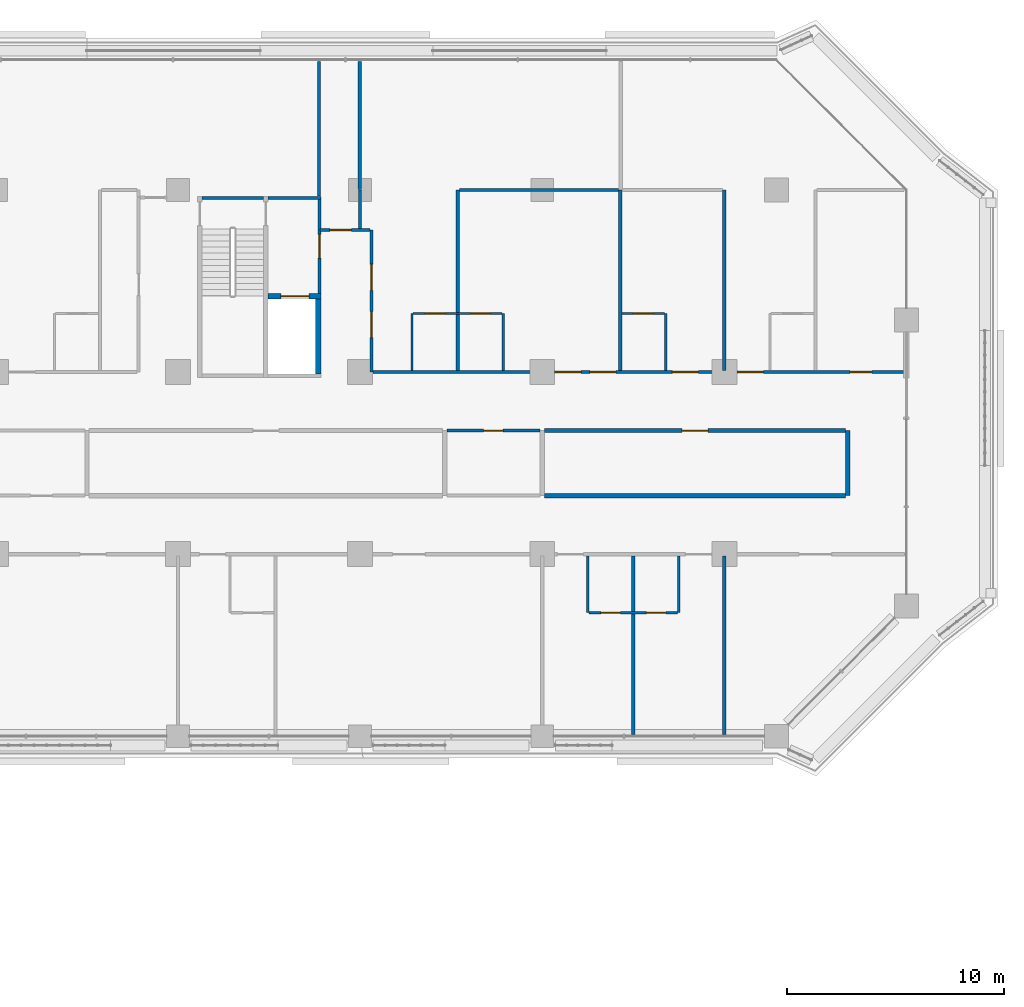
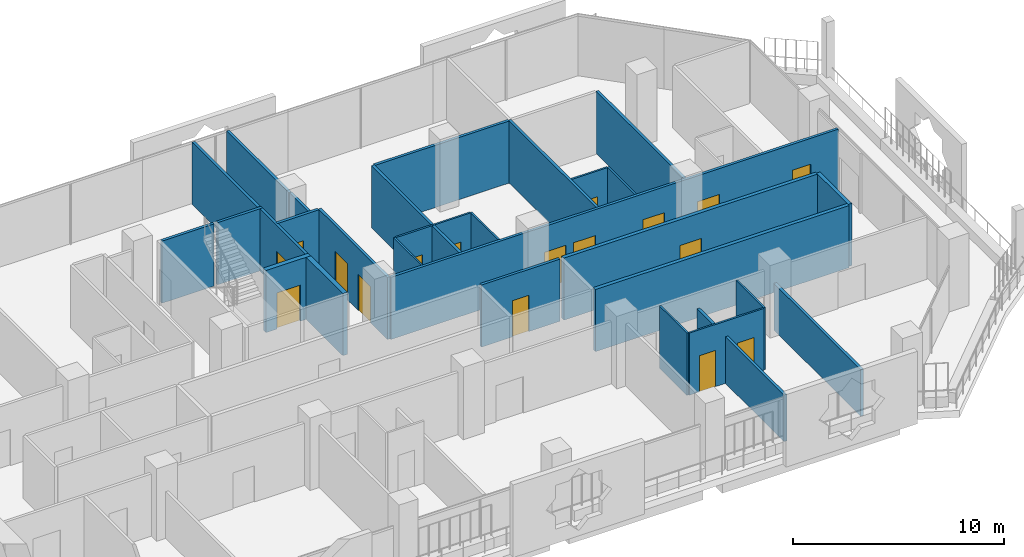
# One storey, part 16 of 25: 29 walls, 17 doors, 17 openings.
"""IFC4 building model written with IfcOpenShell, lengths in metres."""

from ifc_helpers import new_model, si_unit, direction, frame, frame_2d, origin, place, context, subcontext, project, spatial, rectangle, extrude, material, layer, layer_set, type_object, element, fill, save


model = new_model("IFC4")

# Units and contexts
model_context = context("Model", 3, precision=1e-05, world=origin(), true_north=direction((0.0, 1.0)))
body_context = subcontext(model_context, "Body", "Model", "MODEL_VIEW")
ifc_project = project(units=[si_unit("LENGTHUNIT", "METRE"), si_unit("AREAUNIT", "SQUARE_METRE"), si_unit("VOLUMEUNIT", "CUBIC_METRE"), si_unit("PLANEANGLEUNIT", "RADIAN"), si_unit("MASSUNIT", "GRAM", prefix="KILO")], contexts=[model_context])

# Site, building, storey
site_placement = place(None, origin())
site = spatial("IfcSite", under=ifc_project, at=site_placement, CompositionType="ELEMENT")
building_placement = place(site_placement, origin())
building = spatial("IfcBuilding", under=site, at=building_placement, Name="Kawkab Arch Medical Tower", CompositionType="ELEMENT")
storey_placement = place(building_placement, frame((0.0, 0.0, 128.199951171875)))
storey = spatial("IfcBuildingStorey", under=building, at=storey_placement, Name="L29", CompositionType="ELEMENT", Elevation=128.199951171875)

# Wall, opening, door
ifc_material_1 = material(Name="Gypsum board on steel studs", Category="steel")
ifc_layer_1 = layer(ifc_material_1, 0.14990234375)
ifc_layer_set_1 = layer_set([ifc_layer_1], Name="Gypsum board on steel studs")
wall_type_1 = type_object("IfcWallType", Name="Core room partition 150", PredefinedType="PARTITIONING", material=ifc_layer_set_1)
wall_1_placement = place(storey_placement, frame((48.52490234375, -4.77490234375, 0.0), z_axis=(0.0, 0.0, 1.0), x_axis=(0.0, 1.0, 0.0)))
wall_1 = element("IfcWall", 1, at=wall_1_placement, inside=storey, type_object=wall_type_1, Name="L29 core room partition", PredefinedType="PARTITIONING", context=body_context, shape_type="SweptSolid", body=[
    extrude(rectangle(XDim=4.324951171875, YDim=0.14990234375, at=frame_2d((2.16259765625, 0.0))), origin(), (0.0, 0.0, 1.0), 3.60009765625),
])
opening_1_placement = place(wall_1_placement, frame((1.625, 0.0, 0.0)))
opening_1 = element("IfcOpeningElement", 2, at=opening_1_placement, cuts=wall_1, Name="Opening FD", PredefinedType="OPENING", context=body_context, shape_type="SweptSolid", body=[
    extrude(rectangle(XDim=1.10009765625, YDim=2.10009765625, at=frame_2d((0.550048828125, 1.050048828125))), frame((0.0, 0.0849609375, 0.0), z_axis=(0.0, -1.0, 0.0), x_axis=(1.0, 0.0, 0.0)), (0.0, 0.0, 1.0), 0.169921875),
])
ifc_material_2 = material(Name="Hollow metal fire door leaf")
door_type_1 = type_object("IfcDoorType", Name="Firefighting lobby door 1100", OperationType="SINGLE_SWING_LEFT", PredefinedType="DOOR", material=ifc_material_2)
door_1_placement = place(opening_1_placement, origin())
door_1 = element("IfcDoor", 3, at=door_1_placement, inside=storey, type_object=door_type_1, Name="L29 Service lift lobby door SV1", OperationType="SINGLE_SWING_LEFT", OverallHeight=2.10009765625, OverallWidth=1.10009765625, PredefinedType="DOOR", context=body_context, shape_type="SweptSolid", body=[
    extrude(rectangle(XDim=1.10009765625, YDim=2.10009765625, at=frame_2d((0.550048828125, 1.050048828125))), frame((0.0, 0.02490234375, 0.0), z_axis=(0.0, -1.0, 0.0), x_axis=(1.0, 0.0, 0.0)), (0.0, 0.0, 1.0), 0.050048828125),
])
fill(opening_1, door_1)

ifc_material_3 = material(Name="Concrete C60/75", Category="concrete")
ifc_layer_2 = layer(ifc_material_3, 0.25)
ifc_layer_set_2 = layer_set([ifc_layer_2], Name="Concrete C60/75")
wall_type_2 = type_object("IfcWallType", Name="Core shear wall 250 C60/75", PredefinedType="SHEAR", material=ifc_layer_set_2)
wall_2_placement = place(storey_placement, frame((46.14990234375, -4.89990234375, 0.0), z_axis=(0.0, 0.0, 1.0), x_axis=(1.0, 0.0, 0.0)))
wall_2 = element("IfcWall", 4, at=wall_2_placement, inside=storey, type_object=wall_type_2, Name="L29 core shear wall", PredefinedType="SHEAR", context=body_context, shape_type="SweptSolid", body=[
    extrude(rectangle(XDim=2.4501953125, YDim=0.25, at=frame_2d((1.22509765625, 0.0))), origin(), (0.0, 0.0, 1.0), 3.60009765625),
])
opening_2_placement = place(wall_2_placement, frame((0.60009765625, 0.0, 0.0)))
opening_2 = element("IfcOpeningElement", 5, at=opening_2_placement, cuts=wall_2, Name="Opening LD2", PredefinedType="OPENING", context=body_context, shape_type="SweptSolid", body=[
    extrude(rectangle(XDim=1.300048828125, YDim=2.10009765625, at=frame_2d((0.64990234375, 1.050048828125))), frame((0.0, 0.135009765625, 0.0), z_axis=(0.0, -1.0, 0.0), x_axis=(1.0, 0.0, 0.0)), (0.0, 0.0, 1.0), 0.27001953125),
])
ifc_material_4 = material(Name="Stainless steel lift door leaf", Category="steel")
door_type_2 = type_object("IfcDoorType", Name="Lift landing door 1300", OperationType="DOUBLE_DOOR_SLIDING", PredefinedType="DOOR", material=ifc_material_4)
door_2_placement = place(opening_2_placement, origin())
door_2 = element("IfcDoor", 6, at=door_2_placement, inside=storey, type_object=door_type_2, Name="L29 Lift landing door SV1", OperationType="DOUBLE_DOOR_SLIDING", OverallHeight=2.10009765625, OverallWidth=1.300048828125, PredefinedType="DOOR", context=body_context, shape_type="SweptSolid", body=[
    extrude(rectangle(XDim=1.300048828125, YDim=2.10009765625, at=frame_2d((0.64990234375, 1.050048828125))), frame((0.0, 0.02490234375, 0.0), z_axis=(0.0, -1.0, 0.0), x_axis=(1.0, 0.0, 0.0)), (0.0, 0.0, 1.0), 0.050048828125),
])
fill(opening_2, door_2)

# Wall
wall_3_placement = place(storey_placement, frame((48.47509765625, -8.5, 0.0), z_axis=(0.0, 0.0, 1.0), x_axis=(0.0, 1.0, 0.0)))
element("IfcWall", 7, at=wall_3_placement, inside=storey, type_object=wall_type_2, Name="L29 core shear wall", PredefinedType="SHEAR", context=body_context, shape_type="SweptSolid", body=[
    extrude(rectangle(XDim=3.47509765625, YDim=0.25, at=frame_2d((1.737548828125, 0.0))), origin(), (0.0, 0.0, 1.0), 3.60009765625),
])

# Wall, openings, doors
ifc_material_5 = material(Name="Gypsum board partition on steel studs", Category="steel")
ifc_layer_3 = layer(ifc_material_5, 0.10009765625)
ifc_layer_set_3 = layer_set([ifc_layer_3], Name="Gypsum board partition on steel studs")
wall_type_3 = type_object("IfcWallType", Name="Partition 100", PredefinedType="PARTITIONING", material=ifc_layer_set_3)
wall_4_placement = place(storey_placement, frame((60.949951171875, -19.5, 0.0), z_axis=(0.0, 0.0, 1.0), x_axis=(1.0, 0.0, 0.0)))
wall_4 = element("IfcWall", 8, at=wall_4_placement, inside=storey, type_object=wall_type_3, Name="Partition 100 w006", PredefinedType="PARTITIONING", context=body_context, shape_type="SweptSolid", body=[
    extrude(rectangle(XDim=4.10009765625, YDim=0.10009765625, at=frame_2d((2.050048828125, 0.0))), origin(), (0.0, 0.0, 1.0), 3.60009765625),
])
opening_3_placement = place(wall_4_placement, frame((0.550048828125, 0.0, 0.0)))
opening_3 = element("IfcOpeningElement", 9, at=opening_3_placement, cuts=wall_4, Name="Opening W29-016", PredefinedType="OPENING", context=body_context, shape_type="SweptSolid", body=[
    extrude(rectangle(XDim=0.89990234375, YDim=2.10009765625, at=frame_2d((0.449951171875, 1.050048828125))), frame((0.0, 0.06005859375, 0.0), z_axis=(0.0, -1.0, 0.0), x_axis=(1.0, 0.0, 0.0)), (0.0, 0.0, 1.0), 0.1201171875),
])
opening_4_placement = place(wall_4_placement, frame((2.64990234375, 0.0, 0.0)))
opening_4 = element("IfcOpeningElement", 10, at=opening_4_placement, cuts=wall_4, Name="Opening W29-017", PredefinedType="OPENING", context=body_context, shape_type="SweptSolid", body=[
    extrude(rectangle(XDim=0.89990234375, YDim=2.10009765625, at=frame_2d((0.449951171875, 1.050048828125))), frame((0.0, 0.06005859375, 0.0), z_axis=(0.0, -1.0, 0.0), x_axis=(1.0, 0.0, 0.0)), (0.0, 0.0, 1.0), 0.1201171875),
])
ifc_material_6 = material(Name="Timber door leaf", Category="wood")
door_type_3 = type_object("IfcDoorType", Name="Single door 900x2100", OperationType="NOTDEFINED", PredefinedType="DOOR", material=ifc_material_6)
door_3_placement = place(opening_3_placement, origin())
door_3 = element("IfcDoor", 11, at=door_3_placement, inside=storey, type_object=door_type_3, Name="Door W29-016", OperationType="SINGLE_SWING_RIGHT", OverallHeight=2.10009765625, OverallWidth=0.89990234375, PredefinedType="DOOR", context=body_context, shape_type="SweptSolid", body=[
    extrude(rectangle(XDim=0.89990234375, YDim=2.10009765625, at=frame_2d((0.449951171875, 1.050048828125))), frame((0.0, 0.02490234375, 0.0), z_axis=(0.0, -1.0, 0.0), x_axis=(1.0, 0.0, 0.0)), (0.0, 0.0, 1.0), 0.050048828125),
])
fill(opening_3, door_3)
door_4_placement = place(opening_4_placement, origin())
door_4 = element("IfcDoor", 12, at=door_4_placement, inside=storey, type_object=door_type_3, Name="Door W29-017", OperationType="SINGLE_SWING_LEFT", OverallHeight=2.10009765625, OverallWidth=0.89990234375, PredefinedType="DOOR", context=body_context, shape_type="SweptSolid", body=[
    extrude(rectangle(XDim=0.89990234375, YDim=2.10009765625, at=frame_2d((0.449951171875, 1.050048828125))), frame((0.0, 0.02490234375, 0.0), z_axis=(0.0, -1.0, 0.0), x_axis=(1.0, 0.0, 0.0)), (0.0, 0.0, 1.0), 0.050048828125),
])
fill(opening_4, door_4)

wall_5_placement = place(storey_placement, frame((52.85009765625, -5.699951171875, 0.0), z_axis=(0.0, 0.0, 1.0), x_axis=(1.0, 0.0, 0.0)))
wall_5 = element("IfcWall", 13, at=wall_5_placement, inside=storey, type_object=wall_type_3, Name="Partition 100 w008", PredefinedType="PARTITIONING", context=body_context, shape_type="SweptSolid", body=[
    extrude(rectangle(XDim=4.097900390625, YDim=0.10009765625, at=frame_2d((2.048828125, 0.0))), origin(), (0.0, 0.0, 1.0), 3.60009765625),
])
opening_5_placement = place(wall_5_placement, frame((0.550048828125, 0.0, 0.0)))
opening_5 = element("IfcOpeningElement", 14, at=opening_5_placement, cuts=wall_5, Name="Opening W29-010", PredefinedType="OPENING", context=body_context, shape_type="SweptSolid", body=[
    extrude(rectangle(XDim=0.89990234375, YDim=2.10009765625, at=frame_2d((0.449951171875, 1.050048828125))), frame((0.0, 0.06005859375, 0.0), z_axis=(0.0, -1.0, 0.0), x_axis=(1.0, 0.0, 0.0)), (0.0, 0.0, 1.0), 0.1201171875),
])
opening_6_placement = place(wall_5_placement, frame((2.64892578125, 0.0, 0.0)))
opening_6 = element("IfcOpeningElement", 15, at=opening_6_placement, cuts=wall_5, Name="Opening W29-011", PredefinedType="OPENING", context=body_context, shape_type="SweptSolid", body=[
    extrude(rectangle(XDim=0.89990234375, YDim=2.10009765625, at=frame_2d((0.449951171875, 1.050048828125))), frame((0.0, 0.06005859375, 0.0), z_axis=(0.0, -1.0, 0.0), x_axis=(1.0, 0.0, 0.0)), (0.0, 0.0, 1.0), 0.1201171875),
])
door_5_placement = place(opening_5_placement, origin())
door_5 = element("IfcDoor", 16, at=door_5_placement, inside=storey, type_object=door_type_3, Name="Door W29-010", OperationType="SINGLE_SWING_LEFT", OverallHeight=2.10009765625, OverallWidth=0.89990234375, PredefinedType="DOOR", context=body_context, shape_type="SweptSolid", body=[
    extrude(rectangle(XDim=0.89990234375, YDim=2.10009765625, at=frame_2d((0.449951171875, 1.050048828125))), frame((0.0, 0.02490234375, 0.0), z_axis=(0.0, -1.0, 0.0), x_axis=(1.0, 0.0, 0.0)), (0.0, 0.0, 1.0), 0.050048828125),
])
fill(opening_5, door_5)
door_6_placement = place(opening_6_placement, origin())
door_6 = element("IfcDoor", 17, at=door_6_placement, inside=storey, type_object=door_type_3, Name="Door W29-011", OperationType="SINGLE_SWING_RIGHT", OverallHeight=2.10009765625, OverallWidth=0.89990234375, PredefinedType="DOOR", context=body_context, shape_type="SweptSolid", body=[
    extrude(rectangle(XDim=0.89990234375, YDim=2.10009765625, at=frame_2d((0.449951171875, 1.050048828125))), frame((0.0, 0.02490234375, 0.0), z_axis=(0.0, -1.0, 0.0), x_axis=(1.0, 0.0, 0.0)), (0.0, 0.0, 1.0), 0.050048828125),
])
fill(opening_6, door_6)

# Wall, opening, door
wall_6_placement = place(storey_placement, frame((62.47509765625, -5.699951171875, 0.0), z_axis=(0.0, 0.0, 1.0), x_axis=(1.0, 0.0, 0.0)))
wall_6 = element("IfcWall", 18, at=wall_6_placement, inside=storey, type_object=wall_type_3, Name="Partition 100 w009", PredefinedType="PARTITIONING", context=body_context, shape_type="SweptSolid", body=[
    extrude(rectangle(XDim=1.974853515625, YDim=0.10009765625, at=frame_2d((0.9873046875, 0.0))), origin(), (0.0, 0.0, 1.0), 3.60009765625),
])
opening_7_placement = place(wall_6_placement, frame((0.52490234375, 0.0, 0.0)))
opening_7 = element("IfcOpeningElement", 19, at=opening_7_placement, cuts=wall_6, Name="Opening W29-012", PredefinedType="OPENING", context=body_context, shape_type="SweptSolid", body=[
    extrude(rectangle(XDim=0.89990234375, YDim=2.10009765625, at=frame_2d((0.449951171875, 1.050048828125))), frame((0.0, 0.06005859375, 0.0), z_axis=(0.0, -1.0, 0.0), x_axis=(1.0, 0.0, 0.0)), (0.0, 0.0, 1.0), 0.1201171875),
])
door_7_placement = place(opening_7_placement, origin())
door_7 = element("IfcDoor", 20, at=door_7_placement, inside=storey, type_object=door_type_3, Name="Door W29-012", OperationType="SINGLE_SWING_LEFT", OverallHeight=2.10009765625, OverallWidth=0.89990234375, PredefinedType="DOOR", context=body_context, shape_type="SweptSolid", body=[
    extrude(rectangle(XDim=0.89990234375, YDim=2.10009765625, at=frame_2d((0.449951171875, 1.050048828125))), frame((0.0, 0.02490234375, 0.0), z_axis=(0.0, -1.0, 0.0), x_axis=(1.0, 0.0, 0.0)), (0.0, 0.0, 1.0), 0.050048828125),
])
fill(opening_7, door_7)

# Walls
wall_7_placement = place(storey_placement, frame((52.800048828125, -8.324951171875, 0.0), z_axis=(0.0, 0.0, 1.0), x_axis=(0.0, 1.0, 0.0)))
element("IfcWall", 21, at=wall_7_placement, inside=storey, type_object=wall_type_3, Name="Partition 100 w016", PredefinedType="PARTITIONING", context=body_context, shape_type="SweptSolid", body=[
    extrude(rectangle(XDim=2.625, YDim=0.10009765625, at=frame_2d((1.3125, 0.0))), origin(), (0.0, 0.0, 1.0), 3.60009765625),
])
wall_8_placement = place(storey_placement, frame((57.0, -8.324951171875, 0.0), z_axis=(0.0, 0.0, 1.0), x_axis=(0.0, 1.0, 0.0)))
element("IfcWall", 22, at=wall_8_placement, inside=storey, type_object=wall_type_3, Name="Partition 100 w017", PredefinedType="PARTITIONING", context=body_context, shape_type="SweptSolid", body=[
    extrude(rectangle(XDim=2.6240234375, YDim=0.10009765625, at=frame_2d((1.31201171875, 0.0))), origin(), (0.0, 0.0, 1.0), 3.60009765625),
])
for number, where, z_axis, x_axis, name in (
    (23, (60.89990234375, -19.5, 0.0), (0.0, 0.0, 1.0), (0.0, 1.0, 0.0), "Partition 100 w018"),
    (24, (64.5, -8.324951171875, 0.0), (0.0, 0.0, 1.0), (0.0, 1.0, 0.0), "Partition 100 w019"),
    (25, (65.10009765625, -19.5, 0.0), (0.0, 0.0, 1.0), (0.0, 1.0, 0.0), "Partition 100 w020"),
):
    element("IfcWall", number, at=place(storey_placement, frame(where, z_axis=z_axis, x_axis=x_axis)), inside=storey, type_object=wall_type_3, Name=name, PredefinedType="PARTITIONING", context=body_context, shape_type="SweptSolid", body=[
        extrude(rectangle(XDim=2.625, YDim=0.10009765625, at=frame_2d((1.3125, 0.0))), origin(), (0.0, 0.0, 1.0), 3.60009765625),
    ])

# Wall, opening, door
ifc_material_7 = material(Name="Gypsum board partition on steel studs, mineral wool", Category="steel")
ifc_layer_4 = layer(ifc_material_7, 0.14990234375)
ifc_layer_set_4 = layer_set([ifc_layer_4], Name="Gypsum board partition on steel studs, mineral wool")
wall_type_4 = type_object("IfcWallType", Name="Partition 150", PredefinedType="PARTITIONING", material=ifc_layer_set_4)
wall_9_placement = place(storey_placement, frame((54.39990234375, -11.10009765625, 0.0), z_axis=(0.0, 0.0, 1.0), x_axis=(1.0, 0.0, 0.0)))
wall_9 = element("IfcWall", 26, at=wall_9_placement, inside=storey, type_object=wall_type_4, Name="Partition 150 w041", PredefinedType="PARTITIONING", context=body_context, shape_type="SweptSolid", body=[
    extrude(rectangle(XDim=4.300048828125, YDim=0.14990234375, at=frame_2d((2.14990234375, 0.0))), origin(), (0.0, 0.0, 1.0), 3.60009765625),
])
opening_8_placement = place(wall_9_placement, frame((1.699951171875, 0.0, 0.0)))
opening_8 = element("IfcOpeningElement", 27, at=opening_8_placement, cuts=wall_9, Name="Opening W29-014", PredefinedType="OPENING", context=body_context, shape_type="SweptSolid", body=[
    extrude(rectangle(XDim=0.89990234375, YDim=2.10009765625, at=frame_2d((0.449951171875, 1.050048828125))), frame((0.0, 0.0849609375, 0.0), z_axis=(0.0, -1.0, 0.0), x_axis=(1.0, 0.0, 0.0)), (0.0, 0.0, 1.0), 0.169921875),
])
door_8_placement = place(opening_8_placement, origin())
door_8 = element("IfcDoor", 28, at=door_8_placement, inside=storey, type_object=door_type_3, Name="Door W29-014", OperationType="SINGLE_SWING_LEFT", OverallHeight=2.10009765625, OverallWidth=0.89990234375, PredefinedType="DOOR", context=body_context, shape_type="SweptSolid", body=[
    extrude(rectangle(XDim=0.89990234375, YDim=2.10009765625, at=frame_2d((0.449951171875, 1.050048828125))), frame((0.0, 0.02490234375, 0.0), z_axis=(0.0, -1.0, 0.0), x_axis=(1.0, 0.0, 0.0)), (0.0, 0.0, 1.0), 0.050048828125),
])
fill(opening_8, door_8)

# Wall, openings, doors
wall_10_placement = place(storey_placement, frame((51.0, -8.39990234375, 0.0), z_axis=(0.0, 0.0, 1.0), x_axis=(1.0, 0.0, 0.0)))
wall_10 = element("IfcWall", 29, at=wall_10_placement, inside=storey, type_object=wall_type_4, Name="Partition 150 w043", PredefinedType="PARTITIONING", context=body_context, shape_type="SweptSolid", body=[
    extrude(rectangle(XDim=24.52001953125, YDim=0.14990234375, at=frame_2d((12.260009765625, 0.0))), origin(), (0.0, 0.0, 1.0), 3.60009765625),
])
opening_9_placement = place(wall_10_placement, frame((8.39990234375, 0.0, 0.0)))
opening_9 = element("IfcOpeningElement", 30, at=opening_9_placement, cuts=wall_10, Name="Opening W29-036", PredefinedType="OPENING", context=body_context, shape_type="SweptSolid", body=[
    extrude(rectangle(XDim=1.199951171875, YDim=2.10009765625, at=frame_2d((0.60009765625, 1.050048828125))), frame((0.0, 0.0849609375, 0.0), z_axis=(0.0, -1.0, 0.0), x_axis=(1.0, 0.0, 0.0)), (0.0, 0.0, 1.0), 0.169921875),
])
opening_10_placement = place(wall_10_placement, frame((10.0, 0.0, 0.0)))
opening_10 = element("IfcOpeningElement", 31, at=opening_10_placement, cuts=wall_10, Name="Opening W29-037", PredefinedType="OPENING", context=body_context, shape_type="SweptSolid", body=[
    extrude(rectangle(XDim=1.199951171875, YDim=2.10009765625, at=frame_2d((0.60009765625, 1.050048828125))), frame((0.0, 0.0849609375, 0.0), z_axis=(0.0, -1.0, 0.0), x_axis=(1.0, 0.0, 0.0)), (0.0, 0.0, 1.0), 0.169921875),
])
opening_11_placement = place(wall_10_placement, frame((13.800048828125, 0.0, 0.0)))
opening_11 = element("IfcOpeningElement", 32, at=opening_11_placement, cuts=wall_10, Name="Opening W29-038", PredefinedType="OPENING", context=body_context, shape_type="SweptSolid", body=[
    extrude(rectangle(XDim=1.199951171875, YDim=2.10009765625, at=frame_2d((0.60009765625, 1.050048828125))), frame((0.0, 0.0849609375, 0.0), z_axis=(0.0, -1.0, 0.0), x_axis=(1.0, 0.0, 0.0)), (0.0, 0.0, 1.0), 0.169921875),
])
opening_12_placement = place(wall_10_placement, frame((16.800048828125, 0.0, 0.0)))
opening_12 = element("IfcOpeningElement", 33, at=opening_12_placement, cuts=wall_10, Name="Opening W29-039", PredefinedType="OPENING", context=body_context, shape_type="SweptSolid", body=[
    extrude(rectangle(XDim=1.199951171875, YDim=2.10009765625, at=frame_2d((0.60009765625, 1.050048828125))), frame((0.0, 0.0849609375, 0.0), z_axis=(0.0, -1.0, 0.0), x_axis=(1.0, 0.0, 0.0)), (0.0, 0.0, 1.0), 0.169921875),
])
opening_13_placement = place(wall_10_placement, frame((22.0, 0.0, 0.0)))
opening_13 = element("IfcOpeningElement", 34, at=opening_13_placement, cuts=wall_10, Name="Opening W29-028", PredefinedType="OPENING", context=body_context, shape_type="SweptSolid", body=[
    extrude(rectangle(XDim=1.0, YDim=2.10009765625, at=frame_2d((0.5, 1.050048828125))), frame((0.0, 0.0849609375, 0.0), z_axis=(0.0, -1.0, 0.0), x_axis=(1.0, 0.0, 0.0)), (0.0, 0.0, 1.0), 0.169921875),
])
ifc_material_8 = material(Name="Hollow metal door leaf")
door_type_4 = type_object("IfcDoorType", Name="Single door 1000x2100 FD30S", OperationType="NOTDEFINED", PredefinedType="DOOR", material=ifc_material_8)
door_9_placement = place(opening_13_placement, origin())
door_9 = element("IfcDoor", 35, at=door_9_placement, inside=storey, type_object=door_type_4, Name="Door W29-028", OperationType="SINGLE_SWING_RIGHT", OverallHeight=2.10009765625, OverallWidth=1.0, PredefinedType="DOOR", context=body_context, shape_type="SweptSolid", body=[
    extrude(rectangle(XDim=1.0, YDim=2.10009765625, at=frame_2d((0.5, 1.050048828125))), frame((0.0, 0.02490234375, 0.0), z_axis=(0.0, -1.0, 0.0), x_axis=(1.0, 0.0, 0.0)), (0.0, 0.0, 1.0), 0.050048828125),
])
fill(opening_13, door_9)
ifc_material_9 = material(Name="Hollow metal door leaf")
door_type_5 = type_object("IfcDoorType", Name="Single door 1200x2100 FD30S", OperationType="NOTDEFINED", PredefinedType="DOOR", material=ifc_material_9)
door_10_placement = place(opening_9_placement, origin())
door_10 = element("IfcDoor", 36, at=door_10_placement, inside=storey, type_object=door_type_5, Name="Door W29-036", OperationType="SINGLE_SWING_LEFT", OverallHeight=2.10009765625, OverallWidth=1.199951171875, PredefinedType="DOOR", context=body_context, shape_type="SweptSolid", body=[
    extrude(rectangle(XDim=1.199951171875, YDim=2.10009765625, at=frame_2d((0.60009765625, 1.050048828125))), frame((0.0, 0.02490234375, 0.0), z_axis=(0.0, -1.0, 0.0), x_axis=(1.0, 0.0, 0.0)), (0.0, 0.0, 1.0), 0.050048828125),
])
fill(opening_9, door_10)
door_11_placement = place(opening_10_placement, origin())
door_11 = element("IfcDoor", 37, at=door_11_placement, inside=storey, type_object=door_type_5, Name="Door W29-037", OperationType="SINGLE_SWING_LEFT", OverallHeight=2.10009765625, OverallWidth=1.199951171875, PredefinedType="DOOR", context=body_context, shape_type="SweptSolid", body=[
    extrude(rectangle(XDim=1.199951171875, YDim=2.10009765625, at=frame_2d((0.60009765625, 1.050048828125))), frame((0.0, 0.02490234375, 0.0), z_axis=(0.0, -1.0, 0.0), x_axis=(1.0, 0.0, 0.0)), (0.0, 0.0, 1.0), 0.050048828125),
])
fill(opening_10, door_11)
door_12_placement = place(opening_11_placement, origin())
door_12 = element("IfcDoor", 38, at=door_12_placement, inside=storey, type_object=door_type_5, Name="Door W29-038", OperationType="SINGLE_SWING_RIGHT", OverallHeight=2.10009765625, OverallWidth=1.199951171875, PredefinedType="DOOR", context=body_context, shape_type="SweptSolid", body=[
    extrude(rectangle(XDim=1.199951171875, YDim=2.10009765625, at=frame_2d((0.60009765625, 1.050048828125))), frame((0.0, 0.02490234375, 0.0), z_axis=(0.0, -1.0, 0.0), x_axis=(1.0, 0.0, 0.0)), (0.0, 0.0, 1.0), 0.050048828125),
])
fill(opening_11, door_12)
door_13_placement = place(opening_12_placement, origin())
door_13 = element("IfcDoor", 39, at=door_13_placement, inside=storey, type_object=door_type_5, Name="Door W29-039", OperationType="SINGLE_SWING_RIGHT", OverallHeight=2.10009765625, OverallWidth=1.199951171875, PredefinedType="DOOR", context=body_context, shape_type="SweptSolid", body=[
    extrude(rectangle(XDim=1.199951171875, YDim=2.10009765625, at=frame_2d((0.60009765625, 1.050048828125))), frame((0.0, 0.02490234375, 0.0), z_axis=(0.0, -1.0, 0.0), x_axis=(1.0, 0.0, 0.0)), (0.0, 0.0, 1.0), 0.050048828125),
])
fill(opening_12, door_13)

# Wall, opening, door
wall_11_placement = place(storey_placement, frame((48.550048828125, -1.85009765625, 0.0), z_axis=(0.0, 0.0, 1.0), x_axis=(1.0, 0.0, 0.0)))
wall_11 = element("IfcWall", 40, at=wall_11_placement, inside=storey, type_object=wall_type_4, Name="Partition 150 w045", PredefinedType="PARTITIONING", context=body_context, shape_type="SweptSolid", body=[
    extrude(rectangle(XDim=2.296875, YDim=0.14990234375, at=frame_2d((1.1484375, 0.0))), origin(), (0.0, 0.0, 1.0), 3.60009765625),
])
opening_14_placement = place(wall_11_placement, frame((0.449951171875, 0.0, 0.0)))
opening_14 = element("IfcOpeningElement", 41, at=opening_14_placement, cuts=wall_11, Name="Opening W29-027", PredefinedType="OPENING", context=body_context, shape_type="SweptSolid", body=[
    extrude(rectangle(XDim=1.0, YDim=2.10009765625, at=frame_2d((0.5, 1.050048828125))), frame((0.0, 0.0849609375, 0.0), z_axis=(0.0, -1.0, 0.0), x_axis=(1.0, 0.0, 0.0)), (0.0, 0.0, 1.0), 0.169921875),
])
door_14_placement = place(opening_14_placement, origin())
door_14 = element("IfcDoor", 42, at=door_14_placement, inside=storey, type_object=door_type_4, Name="Door W29-027", OperationType="SINGLE_SWING_LEFT", OverallHeight=2.10009765625, OverallWidth=1.0, PredefinedType="DOOR", context=body_context, shape_type="SweptSolid", body=[
    extrude(rectangle(XDim=1.0, YDim=2.10009765625, at=frame_2d((0.5, 1.050048828125))), frame((0.0, 0.02490234375, 0.0), z_axis=(0.0, -1.0, 0.0), x_axis=(1.0, 0.0, 0.0)), (0.0, 0.0, 1.0), 0.050048828125),
])
fill(opening_14, door_14)

# Walls
wall_12_placement = place(storey_placement, frame((54.97900390625, 0.0, 0.0), z_axis=(0.0, 0.0, 1.0), x_axis=(1.0, 0.0, 0.0)))
element("IfcWall", 43, at=wall_12_placement, inside=storey, type_object=wall_type_4, Name="Partition 150 w048", PredefinedType="PARTITIONING", context=body_context, shape_type="SweptSolid", body=[
    extrude(rectangle(XDim=7.345947265625, YDim=0.14990234375, at=frame_2d((3.6728515625, 0.0))), origin(), (0.0, 0.0, 1.0), 3.60009765625),
])
wall_13_placement = place(storey_placement, frame((48.5, -0.27001953125, 0.0), z_axis=(0.0, 0.0, 1.0), x_axis=(0.0, 1.0, 0.0)))
element("IfcWall", 44, at=wall_13_placement, inside=storey, type_object=wall_type_4, Name="Partition 150 w070", PredefinedType="PARTITIONING", context=body_context, shape_type="SweptSolid", body=[
    extrude(rectangle(XDim=6.18994140625, YDim=0.14990234375, at=frame_2d((3.094970703125, 0.0))), origin(), (0.0, 0.0, 1.0), 3.60009765625),
])
wall_14_placement = place(storey_placement, frame((50.3798828125, 0.02001953125, 0.0), z_axis=(0.0, 0.0, 1.0), x_axis=(0.0, 1.0, 0.0)))
element("IfcWall", 45, at=wall_14_placement, inside=storey, type_object=wall_type_4, Name="Partition 150 w071", PredefinedType="PARTITIONING", context=body_context, shape_type="SweptSolid", body=[
    extrude(rectangle(XDim=5.89990234375, YDim=0.14990234375, at=frame_2d((2.949951171875, 0.0))), origin(), (0.0, 0.0, 1.0), 3.60009765625),
])
wall_15_placement = place(storey_placement, frame((50.39990234375, -1.77490234375, 0.0), z_axis=(0.0, 0.0, 1.0), x_axis=(0.0, 1.0, 0.0)))
element("IfcWall", 46, at=wall_15_placement, inside=storey, type_object=wall_type_4, Name="Partition 150 w072", PredefinedType="PARTITIONING", context=body_context, shape_type="SweptSolid", body=[
    extrude(rectangle(XDim=1.77197265625, YDim=0.14990234375, at=frame_2d((0.885986328125, 0.0))), origin(), (0.0, 0.0, 1.0), 3.60009765625),
])

# Wall, openings, doors
wall_16_placement = place(storey_placement, frame((50.925048828125, -8.39990234375, 0.0), z_axis=(0.0, 0.0, 1.0), x_axis=(0.0, 1.0, 0.0)))
wall_16 = element("IfcWall", 47, at=wall_16_placement, inside=storey, type_object=wall_type_4, Name="Partition 150 w073", PredefinedType="PARTITIONING", context=body_context, shape_type="SweptSolid", body=[
    extrude(rectangle(XDim=6.546875, YDim=0.14990234375, at=frame_2d((3.2734375, 0.0))), origin(), (0.0, 0.0, 1.0), 3.60009765625),
])
opening_15_placement = place(wall_16_placement, frame((3.764892578125, 0.0, 0.0)))
opening_15 = element("IfcOpeningElement", 48, at=opening_15_placement, cuts=wall_16, Name="Opening W29-034", PredefinedType="OPENING", context=body_context, shape_type="SweptSolid", body=[
    extrude(rectangle(XDim=1.199951171875, YDim=2.10009765625, at=frame_2d((0.60009765625, 1.050048828125))), frame((0.0, 0.0849609375, 0.0), z_axis=(0.0, -1.0, 0.0), x_axis=(1.0, 0.0, 0.0)), (0.0, 0.0, 1.0), 0.169921875),
])
opening_16_placement = place(wall_16_placement, frame((1.58203125, 0.0, 0.0)))
opening_16 = element("IfcOpeningElement", 49, at=opening_16_placement, cuts=wall_16, Name="Opening W29-035", PredefinedType="OPENING", context=body_context, shape_type="SweptSolid", body=[
    extrude(rectangle(XDim=1.199951171875, YDim=2.10009765625, at=frame_2d((0.60009765625, 1.050048828125))), frame((0.0, 0.0849609375, 0.0), z_axis=(0.0, -1.0, 0.0), x_axis=(1.0, 0.0, 0.0)), (0.0, 0.0, 1.0), 0.169921875),
])
door_15_placement = place(opening_15_placement, origin())
door_15 = element("IfcDoor", 50, at=door_15_placement, inside=storey, type_object=door_type_5, Name="Door W29-034", OperationType="SINGLE_SWING_LEFT", OverallHeight=2.10009765625, OverallWidth=1.199951171875, PredefinedType="DOOR", context=body_context, shape_type="SweptSolid", body=[
    extrude(rectangle(XDim=1.199951171875, YDim=2.10009765625, at=frame_2d((0.60009765625, 1.050048828125))), frame((0.0, 0.02490234375, 0.0), z_axis=(0.0, -1.0, 0.0), x_axis=(1.0, 0.0, 0.0)), (0.0, 0.0, 1.0), 0.050048828125),
])
fill(opening_15, door_15)
door_16_placement = place(opening_16_placement, origin())
door_16 = element("IfcDoor", 51, at=door_16_placement, inside=storey, type_object=door_type_5, Name="Door W29-035", OperationType="SINGLE_SWING_RIGHT", OverallHeight=2.10009765625, OverallWidth=1.199951171875, PredefinedType="DOOR", context=body_context, shape_type="SweptSolid", body=[
    extrude(rectangle(XDim=1.199951171875, YDim=2.10009765625, at=frame_2d((0.60009765625, 1.050048828125))), frame((0.0, 0.02490234375, 0.0), z_axis=(0.0, -1.0, 0.0), x_axis=(1.0, 0.0, 0.0)), (0.0, 0.0, 1.0), 0.050048828125),
])
fill(opening_16, door_16)

# Walls
wall_17_placement = place(storey_placement, frame((54.89990234375, -8.324951171875, 0.0), z_axis=(0.0, 0.0, 1.0), x_axis=(0.0, 1.0, 0.0)))
element("IfcWall", 52, at=wall_17_placement, inside=storey, type_object=wall_type_4, Name="Partition 150 w074", PredefinedType="PARTITIONING", context=body_context, shape_type="SweptSolid", body=[
    extrude(rectangle(XDim=8.322998046875, YDim=0.14990234375, at=frame_2d((4.16162109375, 0.0))), origin(), (0.0, 0.0, 1.0), 3.60009765625),
])
wall_18_placement = place(storey_placement, frame((62.39990234375, -8.324951171875, 0.0), z_axis=(0.0, 0.0, 1.0), x_axis=(0.0, 1.0, 0.0)))
element("IfcWall", 53, at=wall_18_placement, inside=storey, type_object=wall_type_4, Name="Partition 150 w076", PredefinedType="PARTITIONING", context=body_context, shape_type="SweptSolid", body=[
    extrude(rectangle(XDim=8.324951171875, YDim=0.14990234375, at=frame_2d((4.16259765625, 0.0))), origin(), (0.0, 0.0, 1.0), 3.60009765625),
])
for number, where, z_axis, x_axis, name in (
    (54, (63.0, -25.1201171875, 0.0), (0.0, 0.0, 1.0), (0.0, 1.0, 0.0), "Partition 150 w078"),
    (55, (67.199951171875, -25.1201171875, 0.0), (0.0, 0.0, 1.0), (0.0, 1.0, 0.0), "Partition 150 w079"),
):
    element("IfcWall", number, at=place(storey_placement, frame(where, z_axis=z_axis, x_axis=x_axis)), inside=storey, type_object=wall_type_4, Name=name, PredefinedType="PARTITIONING", context=body_context, shape_type="SweptSolid", body=[
        extrude(rectangle(XDim=8.2451171875, YDim=0.14990234375, at=frame_2d((4.12255859375, 0.0))), origin(), (0.0, 0.0, 1.0), 2.699951171875),
    ])
wall_19_placement = place(storey_placement, frame((67.199951171875, -8.324951171875, 0.0), z_axis=(0.0, 0.0, 1.0), x_axis=(0.0, 1.0, 0.0)))
element("IfcWall", 56, at=wall_19_placement, inside=storey, type_object=wall_type_4, Name="Partition 150 w080", PredefinedType="PARTITIONING", context=body_context, shape_type="SweptSolid", body=[
    extrude(rectangle(XDim=8.322998046875, YDim=0.14990234375, at=frame_2d((4.16162109375, 0.0))), origin(), (0.0, 0.0, 1.0), 3.60009765625),
])
ifc_material_10 = material(Name="Fire-rated gypsum board partition on steel studs", Category="steel")
ifc_layer_5 = layer(ifc_material_10, 0.199951171875)
ifc_layer_set_5 = layer_set([ifc_layer_5], Name="Fire-rated gypsum board partition on steel studs")
wall_type_5 = type_object("IfcWallType", Name="Protected partition 200", PredefinedType="PARTITIONING", material=ifc_layer_set_5)
wall_20_placement = place(storey_placement, frame((58.89990234375, -14.10009765625, 0.0), z_axis=(0.0, 0.0, 1.0), x_axis=(1.0, 0.0, 0.0)))
element("IfcWall", 57, at=wall_20_placement, inside=storey, type_object=wall_type_5, Name="Protected partition 200 w085", PredefinedType="PARTITIONING", context=body_context, shape_type="SweptSolid", body=[
    extrude(rectangle(XDim=13.900146484375, YDim=0.199951171875, at=frame_2d((6.9501953125, 0.0))), origin(), (0.0, 0.0, 1.0), 3.60009765625),
])

# Wall, opening, door
wall_21_placement = place(storey_placement, frame((58.89990234375, -11.10009765625, 0.0), z_axis=(0.0, 0.0, 1.0), x_axis=(1.0, 0.0, 0.0)))
wall_21 = element("IfcWall", 58, at=wall_21_placement, inside=storey, type_object=wall_type_5, Name="Protected partition 200 w087", PredefinedType="PARTITIONING", context=body_context, shape_type="SweptSolid", body=[
    extrude(rectangle(XDim=13.900146484375, YDim=0.199951171875, at=frame_2d((6.9501953125, 0.0))), origin(), (0.0, 0.0, 1.0), 3.60009765625),
])
opening_17_placement = place(wall_21_placement, frame((6.35009765625, 0.0, 0.0)))
opening_17 = element("IfcOpeningElement", 59, at=opening_17_placement, cuts=wall_21, Name="Opening W29-049", PredefinedType="OPENING", context=body_context, shape_type="SweptSolid", body=[
    extrude(rectangle(XDim=1.199951171875, YDim=2.10009765625, at=frame_2d((0.60009765625, 1.050048828125))), frame((0.0, 0.10986328125, 0.0), z_axis=(0.0, -1.0, 0.0), x_axis=(1.0, 0.0, 0.0)), (0.0, 0.0, 1.0), 0.219970703125),
])
ifc_material_11 = material(Name="Hollow metal door leaf")
door_type_6 = type_object("IfcDoorType", Name="Single door 1200x2100 FD60", OperationType="NOTDEFINED", PredefinedType="DOOR", material=ifc_material_11)
door_17_placement = place(opening_17_placement, origin())
door_17 = element("IfcDoor", 60, at=door_17_placement, inside=storey, type_object=door_type_6, Name="Door W29-049", OperationType="SINGLE_SWING_RIGHT", OverallHeight=2.10009765625, OverallWidth=1.199951171875, PredefinedType="DOOR", context=body_context, shape_type="SweptSolid", body=[
    extrude(rectangle(XDim=1.199951171875, YDim=2.10009765625, at=frame_2d((0.60009765625, 1.050048828125))), frame((0.0, 0.02490234375, 0.0), z_axis=(0.0, -1.0, 0.0), x_axis=(1.0, 0.0, 0.0)), (0.0, 0.0, 1.0), 0.050048828125),
])
fill(opening_17, door_17)

# Walls
wall_22_placement = place(storey_placement, frame((72.89990234375, -14.10009765625, 0.0), z_axis=(0.0, 0.0, 1.0), x_axis=(0.0, 1.0, 0.0)))
element("IfcWall", 61, at=wall_22_placement, inside=storey, type_object=wall_type_5, Name="Protected partition 200 w093", PredefinedType="PARTITIONING", context=body_context, shape_type="SweptSolid", body=[
    extrude(rectangle(XDim=3.0, YDim=0.199951171875, at=frame_2d((1.5, 0.0))), origin(), (0.0, 0.0, 1.0), 3.60009765625),
])
ifc_material_12 = material(Name="Concrete C50/60", Category="concrete")
ifc_layer_6 = layer(ifc_material_12, 0.14990234375)
ifc_layer_set_6 = layer_set([ifc_layer_6], Name="Concrete C50/60")
wall_type_6 = type_object("IfcWallType", Name="Stair enclosure wall 150 C50/60", PredefinedType="SHEAR", material=ifc_layer_set_6)
wall_23_placement = place(storey_placement, frame((43.10009765625, -0.375, 0.0), z_axis=(0.0, 0.0, 1.0), x_axis=(1.0, 0.0, 0.0)))
element("IfcWall", 62, at=wall_23_placement, inside=storey, type_object=wall_type_6, Name="L29 stair enclosure wall", PredefinedType="SHEAR", context=body_context, shape_type="SweptSolid", body=[
    extrude(rectangle(XDim=2.849853515625, YDim=0.14990234375, at=frame_2d((1.4248046875, 0.0))), origin(), (0.0, 0.0, 1.0), 3.60009765625),
])
wall_24_placement = place(storey_placement, frame((46.14990234375, -0.375, 0.0), z_axis=(0.0, 0.0, 1.0), x_axis=(1.0, 0.0, 0.0)))
element("IfcWall", 63, at=wall_24_placement, inside=storey, type_object=wall_type_6, Name="L29 stair enclosure wall", PredefinedType="SHEAR", context=body_context, shape_type="SweptSolid", body=[
    extrude(rectangle(XDim=2.4501953125, YDim=0.14990234375, at=frame_2d((1.22509765625, 0.0))), origin(), (0.0, 0.0, 1.0), 3.60009765625),
])

save(model, "model.ifc")
